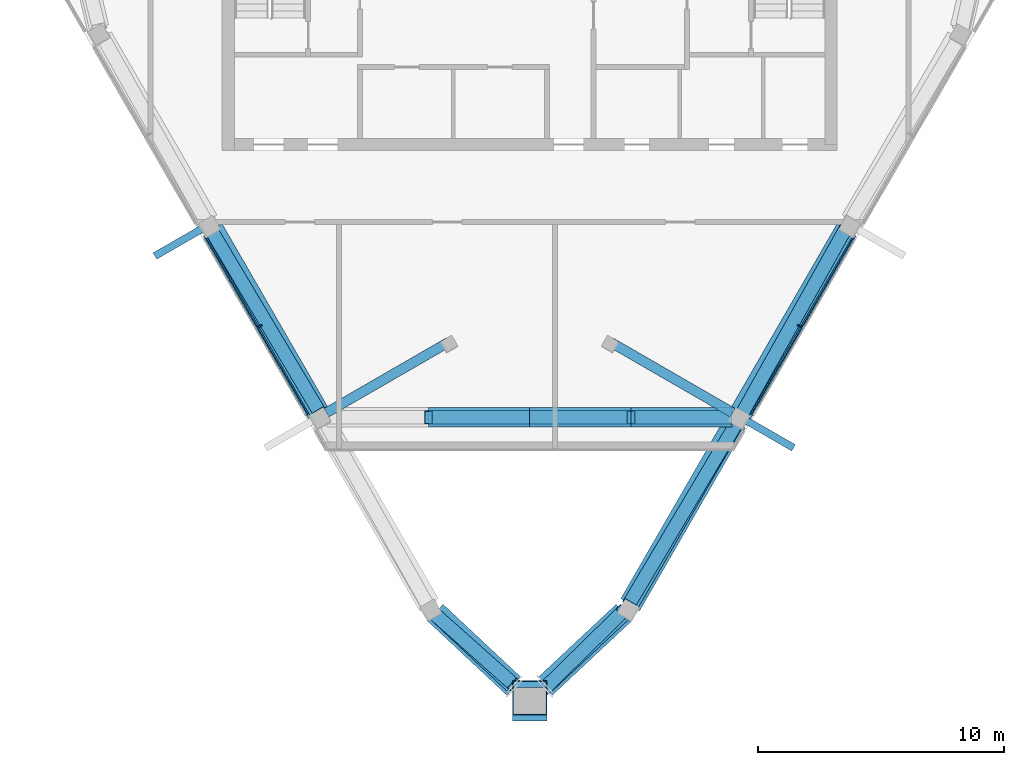
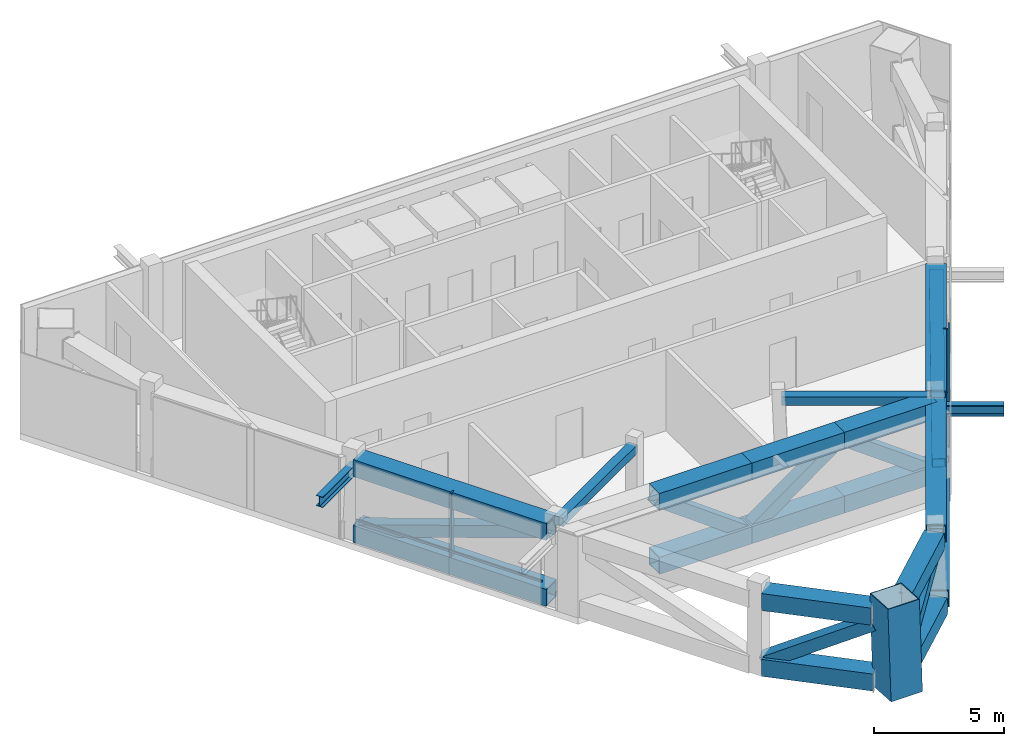
# One storey, part 2 of 9: 31 members, 2 beams, 2 elements without a shape of their own.
"""IFC4 building model written with IfcOpenShell, lengths in metres."""

from ifc_helpers import new_model, si_unit, direction, frame, origin, origin_2d, place, context, subcontext, project, spatial, rectangle, hollow_rectangle, i_section, extrude, material, layer, layer_set, material_profile, profile_set, type_object, element, aggregate, save


model = new_model("IFC4")

# Units and contexts
model_context = context("Model", 3, precision=1e-05, world=origin(), true_north=direction((0.0, 1.0)))
body_context = subcontext(model_context, "Body", "Model", "MODEL_VIEW")
ifc_project = project(units=[si_unit("LENGTHUNIT", "METRE"), si_unit("AREAUNIT", "SQUARE_METRE"), si_unit("VOLUMEUNIT", "CUBIC_METRE"), si_unit("PLANEANGLEUNIT", "RADIAN"), si_unit("MASSUNIT", "GRAM", prefix="KILO")], contexts=[model_context])

# Site, building, storey
site_placement = place(None, origin())
site = spatial("IfcSite", under=ifc_project, at=site_placement, CompositionType="ELEMENT")
building_placement = place(site_placement, origin())
building = spatial("IfcBuilding", under=site, at=building_placement, Name="Altiplano Prism Tower", CompositionType="ELEMENT")
storey_placement = place(building_placement, frame((0.0, 0.0, 343.0)))
storey = spatial("IfcBuildingStorey", under=building, at=storey_placement, Name="L89", CompositionType="ELEMENT", Elevation=343.0)

# Members
ifc_material_1 = material(Name="Steel S355", Category="steel")
ifc_material_profile_1 = material_profile(ifc_material_1, i_section(OverallWidth=0.300048828125, OverallDepth=0.5, WebThickness=0.014404296875, FlangeThickness=0.028076171875, FilletRadius=0.027099609375, at=origin_2d()), Name="Brace bracket HEB 500")
ifc_profile_set_1 = profile_set([ifc_material_profile_1], Name="Steel S355")
member_type_1 = type_object("IfcMemberType", Name="Brace bracket HEB 500", PredefinedType="STRUT", material=ifc_profile_set_1)
member_1_placement = place(storey_placement, frame((72.06787109375, 89.945068359375, 3.104736328125), z_axis=(-0.866029095148, -0.499993606316, 0.0), x_axis=(0.499993606316, -0.866029095148, 0.0)))
element("IfcMember", 1, at=member_1_placement, inside=storey, type_object=member_type_1, Name="Brace bracket 1.347.2", PredefinedType="STRUT", context=body_context, shape_type="SweptSolid", body=[
    extrude(i_section(OverallWidth=0.300048828125, OverallDepth=0.5, WebThickness=0.014404296875, FlangeThickness=0.028076171875, FilletRadius=0.027099609375, at=origin_2d()), origin(), (0.0, 0.0, 1.0), 2.64990234375),
])
member_2_placement = place(storey_placement, frame((93.43212890625, 82.15087890625, 3.1005859375), z_axis=(0.865989200783, -0.500062700197, 0.0), x_axis=(0.500062700197, 0.865989200783, 0.0)))
element("IfcMember", 2, at=member_2_placement, inside=storey, type_object=member_type_1, Name="Brace bracket 2.347.2", PredefinedType="STRUT", context=body_context, shape_type="SweptSolid", body=[
    extrude(i_section(OverallWidth=0.300048828125, OverallDepth=0.5, WebThickness=0.014404296875, FlangeThickness=0.028076171875, FilletRadius=0.027099609375, at=origin_2d()), origin(), (0.0, 0.0, 1.0), 2.650146484375),
])

# Curtain wall, member
ifc_material_2 = material(Name="Aluminium and glass", Category="aluminium")
ifc_layer = layer(ifc_material_2, 0.320068359375)
ifc_layer_set = layer_set([ifc_layer], Name="Aluminium and glass")
curtain_wall_type = type_object("IfcCurtainWallType", Name="CW6 louvred plant-floor curtain wall", PredefinedType="NOTDEFINED", material=ifc_layer_set)
curtain_wall_1_placement = place(storey_placement, origin())
curtain_wall_1 = element("IfcCurtainWall", 3, at=curtain_wall_1_placement, inside=storey, type_object=curtain_wall_type, Name="CW6 curtain wall south-west face L89", PredefinedType="NOTDEFINED")
ifc_material_3 = material(Name="Aluminium", Category="aluminium")
ifc_material_profile_2 = material_profile(ifc_material_3, rectangle(XDim=0.199951171875, YDim=0.06005859375, at=origin_2d()), Name="CW6 mullion 60 x 200")
ifc_profile_set_2 = profile_set([ifc_material_profile_2], Name="Aluminium")
member_type_2 = type_object("IfcMemberType", Name="CW6 mullion 60 x 200", PredefinedType="MULLION", material=ifc_profile_set_2)
member_3_placement = place(storey_placement, frame((74.025390625, 85.771240234375, 0.0), z_axis=(0.0, 0.0, 1.0), x_axis=(0.866025401524, 0.500000003915, 0.0)))
member_3 = element("IfcMember", 4, at=member_3_placement, type_object=member_type_2, Name="CW6 mullion", PredefinedType="MULLION", context=body_context, shape_type="SweptSolid", body=[
    extrude(rectangle(XDim=0.199951171875, YDim=0.06005859375, at=origin_2d()), origin(), (0.0, 0.0, 1.0), 3.800048828125),
])

curtain_wall_2_placement = place(storey_placement, origin())
curtain_wall_2 = element("IfcCurtainWall", 5, at=curtain_wall_2_placement, inside=storey, type_object=curtain_wall_type, Name="CW6 curtain wall south-east face L89", PredefinedType="NOTDEFINED")
member_4_placement = place(storey_placement, frame((95.974609375, 85.771240234375, 0.0), z_axis=(0.0, 0.0, 1.0), x_axis=(-0.866025401524, 0.500000003915, 0.0)))
member_4 = element("IfcMember", 6, at=member_4_placement, type_object=member_type_2, Name="CW6 mullion", PredefinedType="MULLION", context=body_context, shape_type="SweptSolid", body=[
    extrude(rectangle(XDim=0.199951171875, YDim=0.06005859375, at=origin_2d()), origin(), (0.0, 0.0, 1.0), 3.800048828125),
])

# Member
ifc_material_profile_3 = material_profile(ifc_material_3, rectangle(XDim=0.06005859375, YDim=0.080078125, at=origin_2d()), Name="CW6 transom 80 x 60")
ifc_profile_set_3 = profile_set([ifc_material_profile_3], Name="Aluminium")
member_type_3 = type_object("IfcMemberType", Name="CW6 transom 80 x 60", PredefinedType="USERDEFINED", material=ifc_profile_set_3)
member_5_placement = place(storey_placement, frame((71.8251953125, 89.32177734375, 1.10009765625), z_axis=(0.500012536837, -0.866018165517, 0.0), x_axis=(0.866018165517, 0.500012536837, 0.0)))
member_5 = element("IfcMember", 7, at=member_5_placement, type_object=member_type_3, Name="CW6 transom", ObjectType="TRANSOM", PredefinedType="USERDEFINED", context=body_context, shape_type="SweptSolid", body=[
    extrude(rectangle(XDim=0.06005859375, YDim=0.080078125, at=origin_2d()), origin(), (0.0, 0.0, 1.0), 8.256591796875),
])

aggregate(curtain_wall_1, [member_3, member_5])

member_6_placement = place(storey_placement, frame((94.04638671875, 82.17138671875, 1.10009765625), z_axis=(0.500012536837, 0.866018165517, 0.0), x_axis=(-0.866018165517, 0.500012536837, 0.0)))
member_6 = element("IfcMember", 8, at=member_6_placement, type_object=member_type_3, Name="CW6 transom", ObjectType="TRANSOM", PredefinedType="USERDEFINED", context=body_context, shape_type="SweptSolid", body=[
    extrude(rectangle(XDim=0.06005859375, YDim=0.080078125, at=origin_2d()), origin(), (0.0, 0.0, 1.0), 8.256591796875),
])

aggregate(curtain_wall_2, [member_4, member_6])

ifc_material_4 = material(Name="Steel S460", Category="steel")
ifc_material_profile_4 = material_profile(ifc_material_4, hollow_rectangle(XDim=1.39990234375, YDim=1.39990234375, WallThickness=0.0400390625, at=origin_2d()), Name="Mega column tube 1400")
ifc_profile_set_4 = profile_set([ifc_material_profile_4], Name="Steel S460")
member_type_4 = type_object("IfcMemberType", Name="Mega column tube 1400", PredefinedType="POST", material=ifc_profile_set_4)
member_7_placement = place(storey_placement, frame((85.0, 70.431640625, 0.0), z_axis=(0.0, 0.058378439327, 0.998294524588), x_axis=(-1.0, 0.0, 0.0)))
element("IfcMember", 9, at=member_7_placement, inside=storey, type_object=member_type_4, Name="Mega column tube M1 L89", PredefinedType="POST", context=body_context, shape_type="SweptSolid", body=[
    extrude(hollow_rectangle(XDim=1.39990234375, YDim=1.39990234375, WallThickness=0.0400390625, at=origin_2d()), origin(), (0.0, 0.0, 1.0), 4.20703125),
])

# Beams
ifc_material_5 = material(Name="Concrete C60/75", Category="concrete")
ifc_material_profile_5 = material_profile(ifc_material_5, rectangle(XDim=0.39990234375, YDim=0.39990234375, at=origin_2d()), Name="Tie beam 400x400")
ifc_profile_set_5 = profile_set([ifc_material_profile_5], Name="Concrete C60/75")
beam_type = type_object("IfcBeamType", Name="Tie beam 400x400", PredefinedType="BEAM", material=ifc_profile_set_5)
for number, where, z_axis, x_axis, name in (
    (10, (81.694580078125, 85.11083984375, 3.60009765625), (-0.866007731267, -0.500030608449, 0.0), (0.500030608449, -0.866007731267, 0.0), "Tie beam I13 L90"),
    (11, (88.305419921875, 85.11083984375, 3.60009765625), (0.866007731267, -0.500030608449, 0.0), (0.500030608449, 0.866007731267, 0.0), "Tie beam I22 L90"),
):
    element("IfcBeam", number, at=place(storey_placement, frame(where, z_axis=z_axis, x_axis=x_axis)), inside=storey, type_object=beam_type, Name=name, PredefinedType="BEAM", context=body_context, shape_type="SweptSolid", body=[
        extrude(rectangle(XDim=0.39990234375, YDim=0.39990234375, at=origin_2d()), origin(), (0.0, 0.0, 1.0), 5.715087890625),
    ])

# Members
ifc_material_profile_6 = material_profile(ifc_material_1, hollow_rectangle(XDim=0.800048828125, YDim=0.800048828125, WallThickness=0.0400390625, at=origin_2d()), Name="Transfer chord Box 800x800x40")
ifc_profile_set_6 = profile_set([ifc_material_profile_6], Name="Steel S355")
member_type_5 = type_object("IfcMemberType", Name="Transfer chord Box 800x800x40", PredefinedType="CHORD", material=ifc_profile_set_6)
for number, where, z_axis, x_axis, name in (
    (12, (72.0859375, 89.621337890625, 0.39990234375), (0.499990619765, -0.866030819398, 0.0), (0.866030819398, 0.499990619765, 0.0), "Transfer truss edge 1 chord b3"),
    (13, (72.152587890625, 89.73681640625, 3.39990234375), (0.499990619765, -0.866030819398, 0.0), (0.866030819398, 0.499990619765, 0.0), "Transfer truss edge 1 chord t3"),
):
    element("IfcMember", number, at=place(storey_placement, frame(where, z_axis=z_axis, x_axis=x_axis)), inside=storey, type_object=member_type_5, Name=name, PredefinedType="CHORD", context=body_context, shape_type="SweptSolid", body=[
        extrude(hollow_rectangle(XDim=0.800048828125, YDim=0.800048828125, WallThickness=0.0400390625, at=origin_2d()), origin(), (0.0, 0.0, 1.0), 8.590087890625),
    ])
member_8_placement = place(storey_placement, frame((81.143798828125, 74.060302734375, 0.39990234375), z_axis=(0.730479406933, -0.682934723122, 0.0), x_axis=(0.682934723122, 0.730479406933, 0.0)))
element("IfcMember", 14, at=member_8_placement, inside=storey, type_object=member_type_5, Name="Transfer truss edge 1 chord b5", PredefinedType="CHORD", context=body_context, shape_type="SweptSolid", body=[
    extrude(hollow_rectangle(XDim=0.800048828125, YDim=0.800048828125, WallThickness=0.0400390625, at=origin_2d()), origin(), (0.0, 0.0, 1.0), 4.400634765625),
])
member_9_placement = place(storey_placement, frame((81.21044921875, 74.17578125, 3.39990234375), z_axis=(0.730244983503, -0.683185380456, 0.0), x_axis=(0.683185380456, 0.730244983503, 0.0)))
element("IfcMember", 15, at=member_9_placement, inside=storey, type_object=member_type_5, Name="Transfer truss edge 1 chord t5", PredefinedType="CHORD", context=body_context, shape_type="SweptSolid", body=[
    extrude(hollow_rectangle(XDim=0.800048828125, YDim=0.800048828125, WallThickness=0.0400390625, at=origin_2d()), origin(), (0.0, 0.0, 1.0), 4.31103515625),
])
member_10_placement = place(storey_placement, frame((85.6416015625, 71.054931640625, 0.39990234375), z_axis=(0.730479406933, 0.682934723122, 0.0), x_axis=(-0.682934723122, 0.730479406933, 0.0)))
element("IfcMember", 16, at=member_10_placement, inside=storey, type_object=member_type_5, Name="Transfer truss edge 2 chord b1", PredefinedType="CHORD", context=body_context, shape_type="SweptSolid", body=[
    extrude(hollow_rectangle(XDim=0.800048828125, YDim=0.800048828125, WallThickness=0.0400390625, at=origin_2d()), origin(), (0.0, 0.0, 1.0), 4.400634765625),
])
member_11_placement = place(storey_placement, frame((85.641357421875, 71.23046875, 3.39990234375), z_axis=(0.730244983503, 0.683185380456, 0.0), x_axis=(-0.683185380456, 0.730244983503, 0.0)))
element("IfcMember", 17, at=member_11_placement, inside=storey, type_object=member_type_5, Name="Transfer truss edge 2 chord t1", PredefinedType="CHORD", context=body_context, shape_type="SweptSolid", body=[
    extrude(hollow_rectangle(XDim=0.800048828125, YDim=0.800048828125, WallThickness=0.0400390625, at=origin_2d()), origin(), (0.0, 0.0, 1.0), 4.31103515625),
])
for number, where, z_axis, x_axis, name in (
    (18, (89.119140625, 74.387939453125, 0.39990234375), (0.500002926724, 0.866023714033, 0.0), (-0.866023714033, 0.500002926724, 0.0), "Transfer truss edge 2 chord b2"),
    (19, (89.052490234375, 74.50341796875, 3.39990234375), (0.500002926724, 0.866023714033, 0.0), (-0.866023714033, 0.500002926724, 0.0), "Transfer truss edge 2 chord t2"),
):
    element("IfcMember", number, at=place(storey_placement, frame(where, z_axis=z_axis, x_axis=x_axis)), inside=storey, type_object=member_type_5, Name=name, PredefinedType="CHORD", context=body_context, shape_type="SweptSolid", body=[
        extrude(hollow_rectangle(XDim=0.800048828125, YDim=0.800048828125, WallThickness=0.0400390625, at=origin_2d()), origin(), (0.0, 0.0, 1.0), 8.58984375),
    ])
for number, where, z_axis, x_axis, name in (
    (20, (93.619140625, 82.18212890625, 0.39990234375), (0.499990619765, 0.866030819398, 0.0), (-0.866030819398, 0.499990619765, 0.0), "Transfer truss edge 2 chord b3"),
    (21, (93.552490234375, 82.297607421875, 3.39990234375), (0.499990619765, 0.866030819398, 0.0), (-0.866030819398, 0.499990619765, 0.0), "Transfer truss edge 2 chord t3"),
):
    element("IfcMember", number, at=place(storey_placement, frame(where, z_axis=z_axis, x_axis=x_axis)), inside=storey, type_object=member_type_5, Name=name, PredefinedType="CHORD", context=body_context, shape_type="SweptSolid", body=[
        extrude(hollow_rectangle(XDim=0.800048828125, YDim=0.800048828125, WallThickness=0.0400390625, at=origin_2d()), origin(), (0.0, 0.0, 1.0), 8.590087890625),
    ])
for number, where, z_axis, x_axis, name in (
    (22, (80.885986328125, 82.062255859375, 0.39990234375), (1.0, 0.0, 0.0), (0.0, 1.0, 0.0), "Transfer truss chord b2"),
    (23, (80.885986328125, 82.062255859375, 3.39990234375), (1.0, 0.0, 0.0), (0.0, 1.0, 0.0), "Transfer truss chord t2"),
    (24, (85.0, 82.062255859375, 0.39990234375), (1.0, 0.0, 0.0), (0.0, 1.0, 0.0), "Transfer truss chord b3"),
    (25, (85.0, 82.062255859375, 3.39990234375), (1.0, 0.0, 0.0), (0.0, 1.0, 0.0), "Transfer truss chord t3"),
    (26, (89.114013671875, 82.062255859375, 0.39990234375), (1.0, 0.0, 0.0), (0.0, 1.0, 0.0), "Transfer truss chord b4"),
    (27, (89.114013671875, 82.062255859375, 3.39990234375), (1.0, 0.0, 0.0), (0.0, 1.0, 0.0), "Transfer truss chord t4"),
):
    element("IfcMember", number, at=place(storey_placement, frame(where, z_axis=z_axis, x_axis=x_axis)), inside=storey, type_object=member_type_5, Name=name, PredefinedType="CHORD", context=body_context, shape_type="SweptSolid", body=[
        extrude(hollow_rectangle(XDim=0.800048828125, YDim=0.800048828125, WallThickness=0.0400390625, at=origin_2d()), origin(), (0.0, 0.0, 1.0), 4.114013671875),
    ])
ifc_material_profile_7 = material_profile(ifc_material_1, hollow_rectangle(XDim=0.550048828125, YDim=0.550048828125, WallThickness=0.030029296875, at=origin_2d()), Name="Transfer diagonal Box 550x550x30")
ifc_profile_set_7 = profile_set([ifc_material_profile_7], Name="Steel S355")
member_type_6 = type_object("IfcMemberType", Name="Transfer diagonal Box 550x550x30", PredefinedType="BRACE", material=ifc_profile_set_7)
member_12_placement = place(storey_placement, frame((72.088134765625, 89.62255859375, 0.46875), z_axis=(0.484567293404, -0.814780069914, 0.318320555156), x_axis=(0.859487937989, 0.511156027502, 0.0)))
element("IfcMember", 28, at=member_12_placement, inside=storey, type_object=member_type_6, Name="Transfer truss edge 1 diagonal 3", PredefinedType="BRACE", context=body_context, shape_type="SweptSolid", body=[
    extrude(hollow_rectangle(XDim=0.550048828125, YDim=0.550048828125, WallThickness=0.030029296875, at=origin_2d()), origin(), (0.0, 0.0, 1.0), 8.991943359375),
])
member_13_placement = place(storey_placement, frame((81.1474609375, 74.064208984375, 0.5224609375), z_axis=(0.652014851383, -0.581125440667, 0.48700087863), x_axis=(0.665358892073, 0.746523639773, 0.0)))
element("IfcMember", 29, at=member_13_placement, inside=storey, type_object=member_type_6, Name="Transfer truss edge 1 diagonal 5", PredefinedType="BRACE", context=body_context, shape_type="SweptSolid", body=[
    extrude(hollow_rectangle(XDim=0.550048828125, YDim=0.550048828125, WallThickness=0.030029296875, at=origin_2d()), origin(), (0.0, 0.0, 1.0), 4.948974609375),
])
member_14_placement = place(storey_placement, frame((85.5986328125, 71.041748046875, 0.854736328125), z_axis=(0.627825697704, 0.615205844563, 0.476819318105), x_axis=(-0.699891824585, 0.714248859907, 0.0)))
element("IfcMember", 30, at=member_14_placement, inside=storey, type_object=member_type_6, Name="Transfer truss edge 2 diagonal 1", PredefinedType="BRACE", context=body_context, shape_type="SweptSolid", body=[
    extrude(hollow_rectangle(XDim=0.550048828125, YDim=0.550048828125, WallThickness=0.030029296875, at=origin_2d()), origin(), (0.0, 0.0, 1.0), 5.087890625),
])
member_15_placement = place(storey_placement, frame((89.0546875, 74.501953125, 3.3310546875), z_axis=(0.484567293404, 0.814780069914, -0.318320555156), x_axis=(-0.859487937989, 0.511156027502, 0.0)))
element("IfcMember", 31, at=member_15_placement, inside=storey, type_object=member_type_6, Name="Transfer truss edge 2 diagonal 2", PredefinedType="BRACE", context=body_context, shape_type="SweptSolid", body=[
    extrude(hollow_rectangle(XDim=0.550048828125, YDim=0.550048828125, WallThickness=0.030029296875, at=origin_2d()), origin(), (0.0, 0.0, 1.0), 8.991943359375),
])
member_16_placement = place(storey_placement, frame((93.616943359375, 82.183349609375, 0.4677734375), z_axis=(0.464187255876, 0.828163824318, 0.31412556657), x_axis=(-0.87231937019, 0.488936515707, 0.0)))
element("IfcMember", 32, at=member_16_placement, inside=storey, type_object=member_type_6, Name="Transfer truss edge 2 diagonal 3", PredefinedType="BRACE", context=body_context, shape_type="SweptSolid", body=[
    extrude(hollow_rectangle(XDim=0.550048828125, YDim=0.550048828125, WallThickness=0.030029296875, at=origin_2d()), origin(), (0.0, 0.0, 1.0), 9.118896484375),
])
for number, where, z_axis, x_axis, name in (
    (33, (80.885986328125, 82.062255859375, 3.39990234375), (0.807988983368, 0.0, -0.589197592287), (0.0, 1.0, 0.0), "Transfer truss diagonal 2"),
    (34, (85.0, 82.062255859375, 0.39990234375), (0.807988983368, 0.0, 0.589197592287), (0.0, 1.0, 0.0), "Transfer truss diagonal 3"),
    (35, (89.114013671875, 82.062255859375, 3.39990234375), (0.807988983368, 0.0, -0.589197592287), (0.0, 1.0, 0.0), "Transfer truss diagonal 4"),
):
    element("IfcMember", number, at=place(storey_placement, frame(where, z_axis=z_axis, x_axis=x_axis)), inside=storey, type_object=member_type_6, Name=name, PredefinedType="BRACE", context=body_context, shape_type="SweptSolid", body=[
        extrude(hollow_rectangle(XDim=0.550048828125, YDim=0.550048828125, WallThickness=0.030029296875, at=origin_2d()), origin(), (0.0, 0.0, 1.0), 5.091552734375),
    ])

save(model, "model.ifc")
